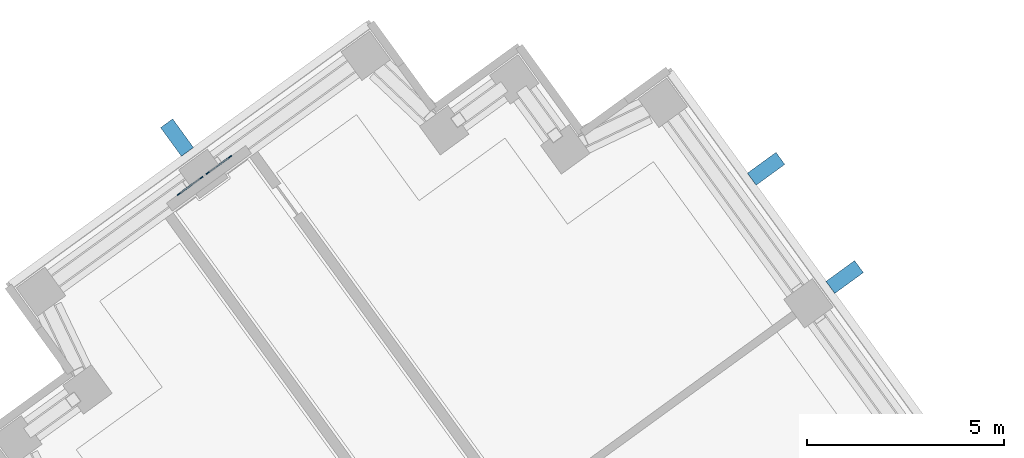
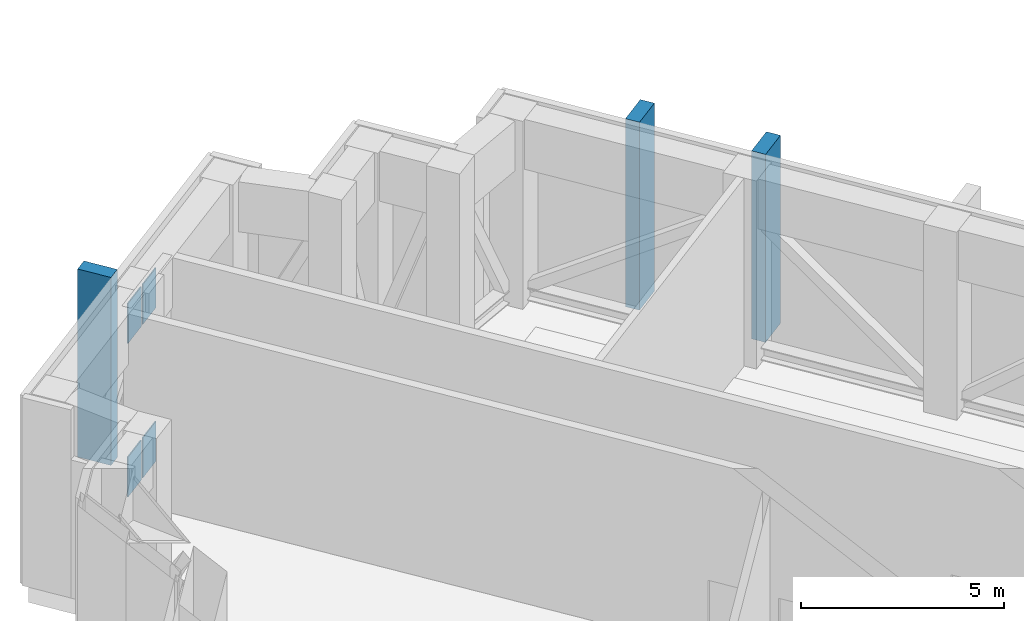
# One storey, part 5 of 16: 7 plates.
"""IFC4 building model written with IfcOpenShell, lengths in metres."""

from ifc_helpers import new_model, si_unit, direction, frame, origin, origin_2d, place, context, subcontext, project, spatial, rectangle, extrude, material, layer, layer_set, type_object, element, save


model = new_model("IFC4")

# Units and contexts
model_context = context("Model", 3, precision=1e-05, world=origin(), true_north=direction((0.0, 1.0)))
body_context = subcontext(model_context, "Body", "Model", "MODEL_VIEW")
ifc_project = project(units=[si_unit("LENGTHUNIT", "METRE"), si_unit("AREAUNIT", "SQUARE_METRE"), si_unit("VOLUMEUNIT", "CUBIC_METRE"), si_unit("PLANEANGLEUNIT", "RADIAN"), si_unit("MASSUNIT", "GRAM", prefix="KILO")], contexts=[model_context])

# Site, building, storey
site_placement = place(None, origin())
site = spatial("IfcSite", under=ifc_project, at=site_placement, CompositionType="ELEMENT")
building_placement = place(site_placement, origin())
building = spatial("IfcBuilding", under=site, at=building_placement, Name="Quipu Civic Tower", CompositionType="ELEMENT")
storey_placement = place(building_placement, frame((0.0, 0.0, 188.0)))
storey = spatial("IfcBuildingStorey", under=building, at=storey_placement, Name="L44", CompositionType="ELEMENT", Elevation=188.0)

# Plates
ifc_material_1 = material(Name="Steel ASTM A572 Grade 50 (fy 345 MPa)", Category="steel")
ifc_layer_1 = layer(ifc_material_1, 0.030029296875)
ifc_layer_set_1 = layer_set([ifc_layer_1], Name="Steel ASTM A572 Grade 50 (fy 345 MPa)")
plate_type_1 = type_object("IfcPlateType", Name="Cast in plate BC4", PredefinedType="SHEET", material=ifc_layer_set_1)
for number, where, z_axis, x_axis, name in (
    (1, (-39.29736328125, 27.326171875, -0.31396484375), (0.0, 0.0, 1.0), (0.80902725304, 0.587771132193, 0.0), "Cast-in plate BC4 L44 038"),
    (2, (-40.025390625, 26.797119140625, -0.31396484375), (0.0, 0.0, 1.0), (0.80902725304, 0.587771132193, 0.0), "Cast-in plate BC4 L44 041"),
):
    element("IfcPlate", number, at=place(storey_placement, frame(where, z_axis=z_axis, x_axis=x_axis)), inside=storey, type_object=plate_type_1, Name=name, PredefinedType="SHEET", context=body_context, shape_type="SweptSolid", body=[
        extrude(rectangle(XDim=0.800048828125, YDim=0.030029296875, at=origin_2d()), origin(), (0.0, 0.0, 1.0), 1.199951171875),
    ])
ifc_material_2 = material(Name="Steel ASTM A572 Grade 50 (fy 345 MPa)", Category="steel")
ifc_layer_2 = layer(ifc_material_2, 0.030029296875)
ifc_layer_set_2 = layer_set([ifc_layer_2], Name="Steel ASTM A572 Grade 50 (fy 345 MPa)")
plate_type_2 = type_object("IfcPlateType", Name="Cast in plate TC1", PredefinedType="SHEET", material=ifc_layer_set_2)
for number, where, z_axis, x_axis, name in (
    (3, (-39.29736328125, 27.326171875, 4.2998046875), (0.0, 0.0, 1.0), (0.80902725304, 0.587771132193, 0.0), "Cast-in plate TC1 L44 037"),
    (4, (-40.025390625, 26.797119140625, 4.2998046875), (0.0, 0.0, 1.0), (0.80902725304, 0.587771132193, 0.0), "Cast-in plate TC1 L44 040"),
):
    element("IfcPlate", number, at=place(storey_placement, frame(where, z_axis=z_axis, x_axis=x_axis)), inside=storey, type_object=plate_type_2, Name=name, PredefinedType="SHEET", context=body_context, shape_type="SweptSolid", body=[
        extrude(rectangle(XDim=0.800048828125, YDim=0.030029296875, at=origin_2d()), origin(), (0.0, 0.0, 1.0), 1.199951171875),
    ])
ifc_material_3 = material(Name="Precast concrete C40/50", Category="concrete")
plate_type_3 = type_object("IfcPlateType", Name="Precast fin F2", PredefinedType="SHEET", material=ifc_material_3)
for number, where, z_axis, x_axis, name in (
    (5, (-23.401123046875, 24.48095703125, 0.0), (0.0, 0.0, 1.0), (-0.587787133119, 0.809015627871, 0.0), "Precast fin F2 L44.1.3"),
    (6, (-25.398193359375, 27.229736328125, 0.0), (0.0, 0.0, 1.0), (-0.587787133119, 0.809015627871, 0.0), "Precast fin F2 L44.1.4"),
    (7, (-40.359619140625, 28.022705078125, 0.0), (0.0, 0.0, 1.0), (-0.809017072762, -0.587785144401, 0.0), "Precast fin F2 L44.6.1"),
):
    element("IfcPlate", number, at=place(storey_placement, frame(where, z_axis=z_axis, x_axis=x_axis)), inside=storey, type_object=plate_type_3, Name=name, PredefinedType="SHEET", context=body_context, shape_type="SweptSolid", body=[
        extrude(rectangle(XDim=0.3798828125, YDim=0.89990234375, at=origin_2d()), origin(), (0.0, 0.0, 1.0), 5.64990234375),
    ])

save(model, "model.ifc")
